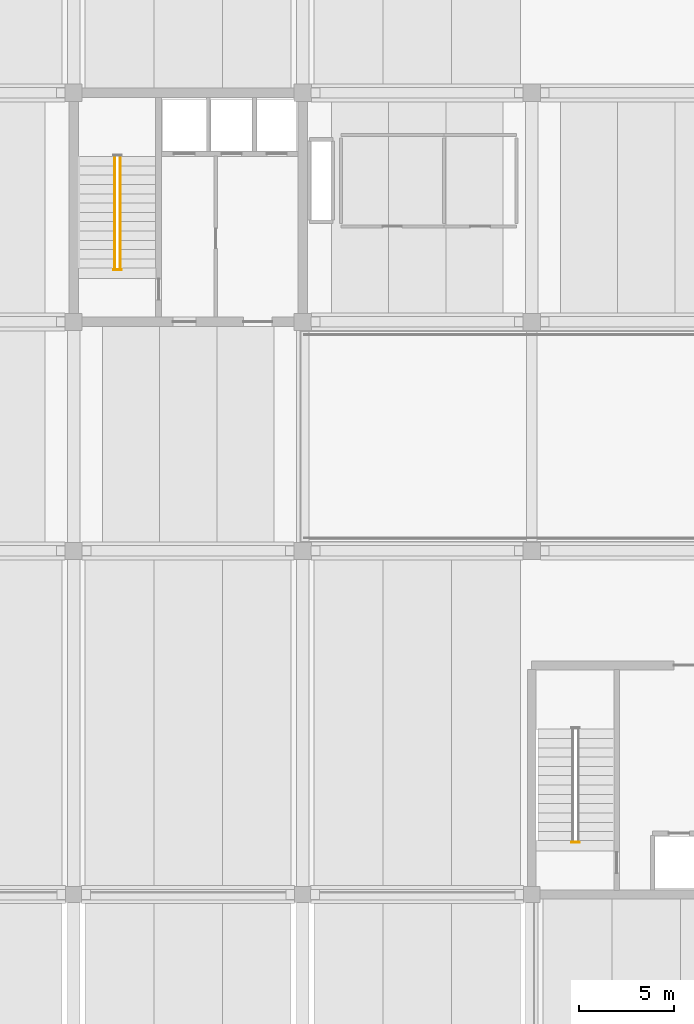
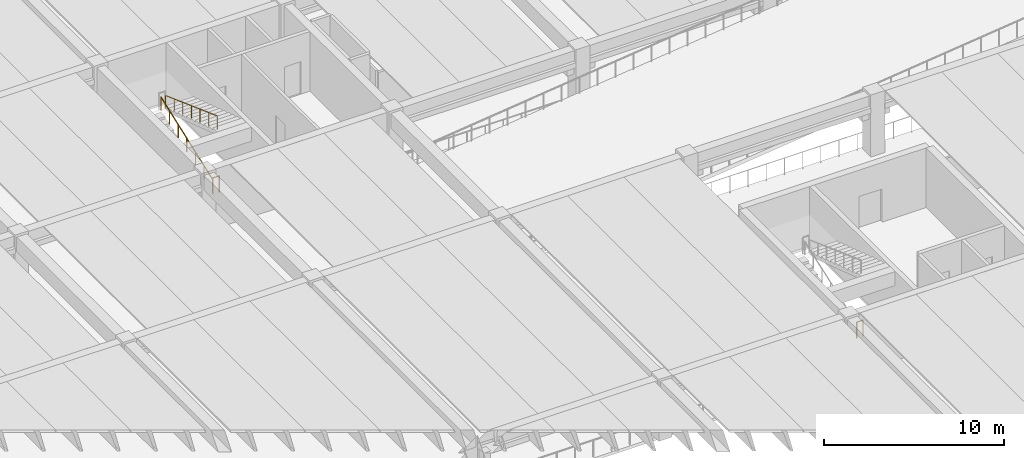
# One storey, part 44 of 50: 4 railings.
"""IFC4 building model written with IfcOpenShell, lengths in metres."""

from ifc_helpers import new_model, si_unit, direction, frame, origin, origin_2d, place, context, subcontext, project, spatial, circle, extrude, material, layer, layer_set, type_object, element, save


model = new_model("IFC4")

# Units and contexts
model_context = context("Model", 3, precision=1e-05, world=origin(), true_north=direction((0.0, 1.0)))
body_context = subcontext(model_context, "Body", "Model", "MODEL_VIEW")
ifc_project = project(units=[si_unit("LENGTHUNIT", "METRE"), si_unit("AREAUNIT", "SQUARE_METRE"), si_unit("VOLUMEUNIT", "CUBIC_METRE"), si_unit("PLANEANGLEUNIT", "RADIAN"), si_unit("MASSUNIT", "GRAM", prefix="KILO")], contexts=[model_context])

# Site, building, storey
site_placement = place(None, origin())
site = spatial("IfcSite", under=ifc_project, at=site_placement, CompositionType="ELEMENT")
building_placement = place(site_placement, origin())
building = spatial("IfcBuilding", under=site, at=building_placement, Name="Girod Span Mobility Hub", CompositionType="ELEMENT")
storey_placement = place(building_placement, frame((0.0, 0.0, 5.39990234375)))
storey = spatial("IfcBuildingStorey", under=building, at=storey_placement, Name="L01", CompositionType="ELEMENT", Elevation=5.39990234375)

# Railings
ifc_material_1 = material(Name="Painted Galvanised Steel", Category="steel")
ifc_layer_1 = layer(ifc_material_1, 0.06494140625)
ifc_layer_set_1 = layer_set([ifc_layer_1], Name="Painted Galvanised Steel")
railing_type_1 = type_object("IfcRailingType", Name="RL-GRD-1120", PredefinedType="GUARDRAIL", material=ifc_layer_set_1)
for number, where, name in (
    (1, (50.10009765625, 59.72998046875, 0.0), "Stair ST-1 Landing Well Guard L01"),
    (2, (74.10009765625, 29.72998046875, 0.0), "Stair ST-3 Landing Well Guard L01"),
):
    element("IfcRailing", number, at=place(storey_placement, frame(where)), inside=storey, type_object=railing_type_1, Name=name, PredefinedType="GUARDRAIL", context=body_context, shape_type="SweptSolid", body=[
        extrude(circle(Radius=0.02392578125, at=origin_2d()), frame((0.0, 0.0, 1.09619140625), z_axis=(1.0, 0.0, 0.0), x_axis=(0.0, 1.0, 0.0)), (0.0, 0.0, 1.0), 0.39990234375),
        extrude(circle(Radius=0.02099609375, at=origin_2d()), origin(), (0.0, 0.0, 1.0), 1.072021484375),
        extrude(circle(Radius=0.02099609375, at=origin_2d()), frame((0.39990234375, 0.0, 0.0)), (0.0, 0.0, 1.0), 1.072021484375),
    ])
ifc_material_2 = material(Name="Painted Galvanised Steel", Category="steel")
ifc_layer_2 = layer(ifc_material_2, 0.050048828125)
ifc_layer_set_2 = layer_set([ifc_layer_2], Name="Painted Galvanised Steel")
railing_type_2 = type_object("IfcRailingType", Name="RL-HR-920", PredefinedType="HANDRAIL", material=ifc_layer_set_2)
railing_1_placement = place(storey_placement, frame((50.14990234375, 59.860107421875, 0.0)))
element("IfcRailing", 3, at=railing_1_placement, inside=storey, type_object=railing_type_2, Name="Stair ST-1 Flight 1 Handrail L01", PredefinedType="HANDRAIL", context=body_context, shape_type="SweptSolid", body=[
    extrude(circle(Radius=0.02392578125, at=origin_2d()), frame((0.0, 0.0, 0.89599609375), z_axis=(0.0, 0.939310406204, 0.343068449141), x_axis=(-1.0, 0.0, 0.0)), (0.0, 0.0, 1.0), 6.12158203125),
    extrude(circle(Radius=0.02099609375, at=origin_2d()), origin(), (0.0, 0.0, 1.0), 0.871826171875),
    extrude(circle(Radius=0.02099609375, at=origin_2d()), frame((0.0, 0.958251953125, 0.35009765625)), (0.0, 0.0, 1.0), 0.871826171875),
    extrude(circle(Radius=0.02099609375, at=origin_2d()), frame((0.0, 1.916748046875, 0.699951171875)), (0.0, 0.0, 1.0), 0.871826171875),
    extrude(circle(Radius=0.02099609375, at=origin_2d()), frame((0.0, 2.875, 1.050048828125)), (0.0, 0.0, 1.0), 0.871826171875),
    extrude(circle(Radius=0.02099609375, at=origin_2d()), frame((0.0, 3.833251953125, 1.400146484375)), (0.0, 0.0, 1.0), 0.871826171875),
    extrude(circle(Radius=0.02099609375, at=origin_2d()), frame((0.0, 4.791748046875, 1.75)), (0.0, 0.0, 1.0), 0.871826171875),
    extrude(circle(Radius=0.02099609375, at=origin_2d()), frame((0.0, 5.75, 2.10009765625)), (0.0, 0.0, 1.0), 0.871826171875),
])
railing_2_placement = place(storey_placement, frame((50.449951171875, 65.610107421875, 2.10009765625)))
element("IfcRailing", 4, at=railing_2_placement, inside=storey, type_object=railing_type_2, Name="Stair ST-1 Flight 2 Handrail L01", PredefinedType="HANDRAIL", context=body_context, shape_type="SweptSolid", body=[
    extrude(circle(Radius=0.02392578125, at=origin_2d()), frame((0.0, 0.0, 0.89599609375), z_axis=(0.0, -0.939310406204, 0.343068449141), x_axis=(1.0, 0.0, 0.0)), (0.0, 0.0, 1.0), 6.12158203125),
    extrude(circle(Radius=0.02099609375, at=origin_2d()), origin(), (0.0, 0.0, 1.0), 0.871826171875),
    extrude(circle(Radius=0.02099609375, at=origin_2d()), frame((0.0, -0.958251953125, 0.35009765625)), (0.0, 0.0, 1.0), 0.871826171875),
    extrude(circle(Radius=0.02099609375, at=origin_2d()), frame((0.0, -1.916748046875, 0.699951171875)), (0.0, 0.0, 1.0), 0.871826171875),
    extrude(circle(Radius=0.02099609375, at=origin_2d()), frame((0.0, -2.875, 1.050048828125)), (0.0, 0.0, 1.0), 0.871826171875),
    extrude(circle(Radius=0.02099609375, at=origin_2d()), frame((0.0, -3.833251953125, 1.400146484375)), (0.0, 0.0, 1.0), 0.871826171875),
    extrude(circle(Radius=0.02099609375, at=origin_2d()), frame((0.0, -4.791748046875, 1.75)), (0.0, 0.0, 1.0), 0.871826171875),
    extrude(circle(Radius=0.02099609375, at=origin_2d()), frame((0.0, -5.75, 2.10009765625)), (0.0, 0.0, 1.0), 0.871826171875),
])

save(model, "model.ifc")
